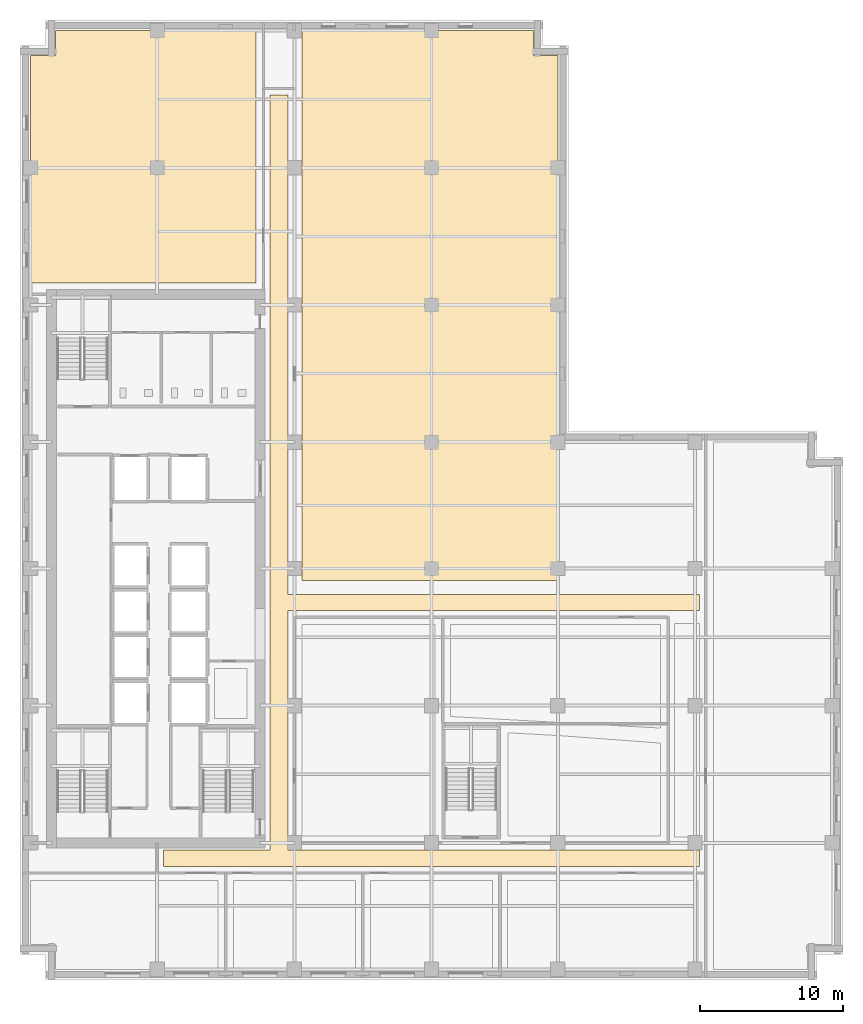
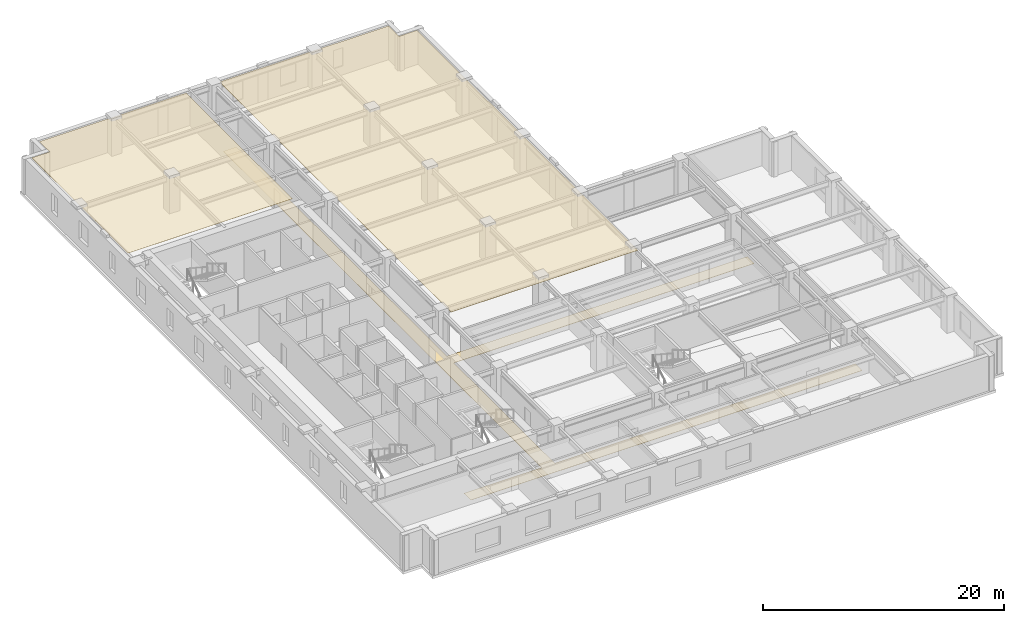
# One storey, part 10 of 11: 3 coverings.
"""IFC4 building model written with IfcOpenShell, lengths in metres."""

from ifc_helpers import new_model, si_unit, direction, frame, origin, place, context, subcontext, project, spatial, polyline, outline, extrude, material, layer, layer_set, type_object, element, save


model = new_model("IFC4")

# Units and contexts
model_context = context("Model", 3, precision=1e-05, world=origin(), true_north=direction((0.0, 1.0)))
body_context = subcontext(model_context, "Body", "Model", "MODEL_VIEW")
ifc_project = project(units=[si_unit("LENGTHUNIT", "METRE"), si_unit("AREAUNIT", "SQUARE_METRE"), si_unit("VOLUMEUNIT", "CUBIC_METRE"), si_unit("PLANEANGLEUNIT", "RADIAN"), si_unit("MASSUNIT", "GRAM", prefix="KILO")], contexts=[model_context])

# Site, building, storey
site_placement = place(None, origin())
site = spatial("IfcSite", under=ifc_project, at=site_placement, CompositionType="ELEMENT")
building_placement = place(site_placement, origin())
building = spatial("IfcBuilding", under=site, at=building_placement, Name="Norrvale University Quadrangle", CompositionType="ELEMENT")
storey_placement = place(building_placement, frame((0.0, 0.0, 128.0)))
storey = spatial("IfcBuildingStorey", under=building, at=storey_placement, Name="L32", CompositionType="ELEMENT", Elevation=128.0)

# Coverings
ifc_material_1 = material(Name="Perforated Acoustic Mineral Ceiling")
ifc_layer_1 = layer(ifc_material_1, 0.02490234375, Name="Perforated Acoustic Mineral Ceiling")
ifc_layer_set_1 = layer_set([ifc_layer_1], Name="Perforated Acoustic Mineral Ceiling")
covering_type_1 = type_object("IfcCoveringType", Name="Covering Acoustic Ceiling 25", PredefinedType="CEILING", material=ifc_layer_set_1)
covering_1_placement = place(storey_placement, frame((0.0, 0.0, 3.514892578125)))
element("IfcCovering", 1, at=covering_1_placement, inside=storey, type_object=covering_type_1, Name="Acoustic Ceiling RM-L32-NE01", PredefinedType="CEILING", context=body_context, shape_type="SweptSolid", body=[
    extrude(outline(polyline([(37.64990234375, 27.97998046875), (19.72998046875, 27.97998046875), (19.72998046875, 66.449951171875), (35.929931640625, 66.449951171875), (35.929931640625, 64.72998046875), (37.64990234375, 64.72998046875), (37.64990234375, 27.97998046875)])), origin(), (0.0, 0.0, 1.0), 0.025146484375),
])
covering_2_placement = place(storey_placement, frame((0.0, 0.0, 3.514892578125)))
element("IfcCovering", 2, at=covering_2_placement, inside=storey, type_object=covering_type_1, Name="Acoustic Ceiling RM-L32-NW01", PredefinedType="CEILING", context=body_context, shape_type="SweptSolid", body=[
    extrude(outline(polyline([(16.52001953125, 66.449951171875), (16.52001953125, 48.780029296875), (0.75, 48.780029296875), (0.75, 64.72998046875), (2.469970703125, 64.72998046875), (2.469970703125, 66.449951171875), (16.52001953125, 66.449951171875)])), origin(), (0.0, 0.0, 1.0), 0.025146484375),
])
ifc_material_2 = material(Name="Polished Terrazzo Flooring")
ifc_layer_2 = layer(ifc_material_2, 0.02490234375, Name="Polished Terrazzo Flooring")
ifc_layer_set_2 = layer_set([ifc_layer_2], Name="Polished Terrazzo Flooring")
covering_type_2 = type_object("IfcCoveringType", Name="Covering Terrazzo Floor 30", PredefinedType="FLOORING", material=ifc_layer_set_2)
covering_3_placement = place(storey_placement, origin())
element("IfcCovering", 3, at=covering_3_placement, inside=storey, type_object=covering_type_2, Name="Terrazzo Flooring RM-L32-CORR1", PredefinedType="FLOORING", context=body_context, shape_type="SweptSolid", body=[
    extrude(outline(polyline([(10.050048828125, 7.949951171875), (10.050048828125, 9.10009765625), (17.5, 9.10009765625), (17.5, 61.949951171875), (18.75, 61.949951171875), (18.75, 27.0), (47.550048828125, 27.0), (47.550048828125, 25.85009765625), (18.75, 25.85009765625), (18.75, 9.10009765625), (47.550048828125, 9.10009765625), (47.550048828125, 7.949951171875), (10.050048828125, 7.949951171875)])), origin(), (0.0, 0.0, 1.0), 0.02490234375),
])

save(model, "model.ifc")
